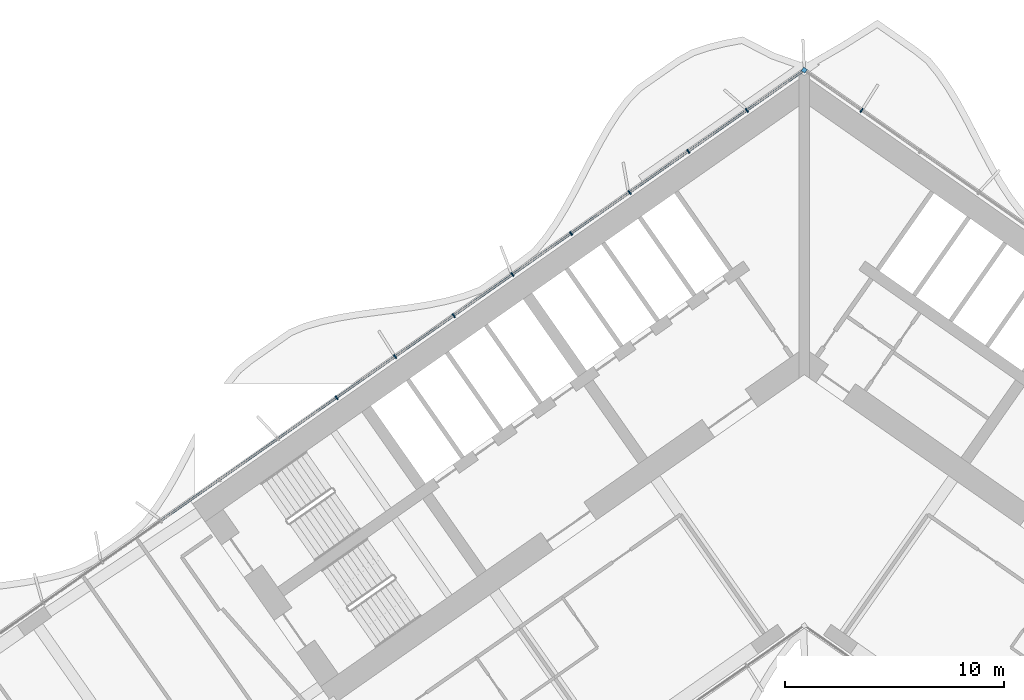
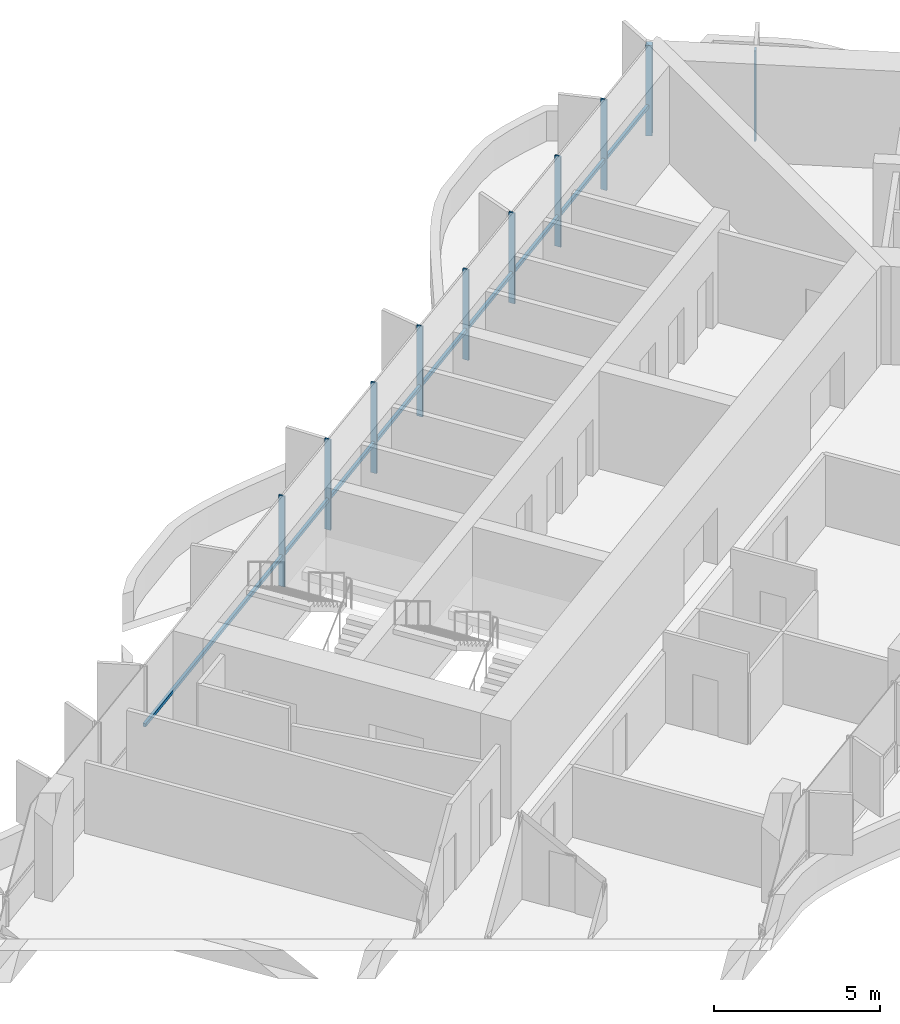
# One storey, part 7 of 24: 11 members, 1 element without a shape of its own.
"""IFC4 building model written with IfcOpenShell, lengths in metres."""

from ifc_helpers import new_model, si_unit, direction, frame, origin, origin_2d, place, context, subcontext, project, spatial, rectangle, extrude, material, material_profile, profile_set, type_object, element, aggregate, save


model = new_model("IFC4")

# Units and contexts
model_context = context("Model", 3, precision=1e-05, world=origin(), true_north=direction((0.0, 1.0)))
body_context = subcontext(model_context, "Body", "Model", "MODEL_VIEW")
ifc_project = project(units=[si_unit("LENGTHUNIT", "METRE"), si_unit("AREAUNIT", "SQUARE_METRE"), si_unit("VOLUMEUNIT", "CUBIC_METRE"), si_unit("PLANEANGLEUNIT", "RADIAN"), si_unit("MASSUNIT", "GRAM", prefix="KILO")], contexts=[model_context])

# Site, building, storey
site_placement = place(None, origin())
site = spatial("IfcSite", under=ifc_project, at=site_placement, CompositionType="ELEMENT")
building_placement = place(site_placement, origin())
building = spatial("IfcBuilding", under=site, at=building_placement, Name="Tel Ilan Convention Tower", CompositionType="ELEMENT")
storey_placement = place(building_placement, frame((0.0, 0.0, 72.5)))
storey = spatial("IfcBuildingStorey", under=building, at=storey_placement, Name="L13", CompositionType="ELEMENT", Elevation=72.5)

# Curtain wall, members
ifc_material_1 = material(Name="Aluminium, bronze anodised", Category="aluminium")
curtain_wall_type = type_object("IfcCurtainWallType", Name="CW2 STICK CURTAIN WALL, SPANDREL PANELS", PredefinedType="NOTDEFINED", material=ifc_material_1)
curtain_wall_placement = place(storey_placement, origin())
curtain_wall = element("IfcCurtainWall", 1, at=curtain_wall_placement, inside=storey, type_object=curtain_wall_type, Name="Curtain wall CW2-13.01", PredefinedType="NOTDEFINED")
ifc_material_2 = material(Name="Aluminium, bronze anodised", Category="aluminium")
ifc_material_profile_1 = material_profile(ifc_material_2, rectangle(XDim=0.199951171875, YDim=0.199951171875, at=origin_2d()), Name="CW CORNER MULLION 200x200")
ifc_profile_set_1 = profile_set([ifc_material_profile_1], Name="Aluminium, bronze anodised")
member_type_1 = type_object("IfcMemberType", Name="CW CORNER MULLION 200x200", PredefinedType="MULLION", material=ifc_profile_set_1)
member_1_placement = place(storey_placement, frame((0.0, 12.696044921875, 0.0), z_axis=(0.0, 0.0, 1.0), x_axis=(-0.819152044289, 0.573576436351, 0.0)))
member_1 = element("IfcMember", 2, at=member_1_placement, type_object=member_type_1, Name="Corner mullion", PredefinedType="MULLION", context=body_context, shape_type="SweptSolid", body=[
    extrude(rectangle(XDim=0.199951171875, YDim=0.199951171875, at=origin_2d()), origin(), (0.0, 0.0, 1.0), 3.320068359375),
])
ifc_material_3 = material(Name="Aluminium, bronze anodised", Category="aluminium")
ifc_material_profile_2 = material_profile(ifc_material_3, rectangle(XDim=0.06005859375, YDim=0.199951171875, at=origin_2d()), Name="CW MULLION 60x200")
ifc_profile_set_2 = profile_set([ifc_material_profile_2], Name="Aluminium, bronze anodised")
member_type_2 = type_object("IfcMemberType", Name="CW MULLION 60x200", PredefinedType="MULLION", material=ifc_profile_set_2)
member_2_placement = place(storey_placement, frame((2.622802734375, 10.859375, 0.0), z_axis=(0.0, 0.0, 1.0), x_axis=(-0.819152044289, 0.573576436351, 0.0)))
member_2 = element("IfcMember", 3, at=member_2_placement, type_object=member_type_2, Name="Mullion", PredefinedType="MULLION", context=body_context, shape_type="SweptSolid", body=[
    extrude(rectangle(XDim=0.06005859375, YDim=0.199951171875, at=origin_2d()), origin(), (0.0, 0.0, 1.0), 3.320068359375),
])
member_3_placement = place(storey_placement, frame((-2.622802734375, 10.859375, 0.0), z_axis=(0.0, 0.0, 1.0), x_axis=(-0.819152044289, -0.573576436351, 0.0)))
member_3 = element("IfcMember", 4, at=member_3_placement, type_object=member_type_2, Name="Mullion", PredefinedType="MULLION", context=body_context, shape_type="SweptSolid", body=[
    extrude(rectangle(XDim=0.06005859375, YDim=0.199951171875, at=origin_2d()), origin(), (0.0, 0.0, 1.0), 3.320068359375),
])
member_4_placement = place(storey_placement, frame((-5.30322265625, 8.982666015625, 0.0), z_axis=(0.0, 0.0, 1.0), x_axis=(-0.819152044289, -0.573576436351, 0.0)))
member_4 = element("IfcMember", 5, at=member_4_placement, type_object=member_type_2, Name="Mullion", PredefinedType="MULLION", context=body_context, shape_type="SweptSolid", body=[
    extrude(rectangle(XDim=0.06005859375, YDim=0.199951171875, at=origin_2d()), origin(), (0.0, 0.0, 1.0), 3.320068359375),
])
member_5_placement = place(storey_placement, frame((-7.9833984375, 7.10595703125, 0.0), z_axis=(0.0, 0.0, 1.0), x_axis=(-0.819152044289, -0.573576436351, 0.0)))
member_5 = element("IfcMember", 6, at=member_5_placement, type_object=member_type_2, Name="Mullion", PredefinedType="MULLION", context=body_context, shape_type="SweptSolid", body=[
    extrude(rectangle(XDim=0.06005859375, YDim=0.199951171875, at=origin_2d()), origin(), (0.0, 0.0, 1.0), 3.320068359375),
])
member_6_placement = place(storey_placement, frame((-10.663818359375, 5.229248046875, 0.0), z_axis=(0.0, 0.0, 1.0), x_axis=(-0.819152044289, -0.573576436351, 0.0)))
member_6 = element("IfcMember", 7, at=member_6_placement, type_object=member_type_2, Name="Mullion", PredefinedType="MULLION", context=body_context, shape_type="SweptSolid", body=[
    extrude(rectangle(XDim=0.06005859375, YDim=0.199951171875, at=origin_2d()), origin(), (0.0, 0.0, 1.0), 3.320068359375),
])
member_7_placement = place(storey_placement, frame((-13.343994140625, 3.3525390625, 0.0), z_axis=(0.0, 0.0, 1.0), x_axis=(-0.819152044289, -0.573576436351, 0.0)))
member_7 = element("IfcMember", 8, at=member_7_placement, type_object=member_type_2, Name="Mullion", PredefinedType="MULLION", context=body_context, shape_type="SweptSolid", body=[
    extrude(rectangle(XDim=0.06005859375, YDim=0.199951171875, at=origin_2d()), origin(), (0.0, 0.0, 1.0), 3.320068359375),
])
member_8_placement = place(storey_placement, frame((-16.024169921875, 1.475830078125, 0.0), z_axis=(0.0, 0.0, 1.0), x_axis=(-0.819152044289, -0.573576436351, 0.0)))
member_8 = element("IfcMember", 9, at=member_8_placement, type_object=member_type_2, Name="Mullion", PredefinedType="MULLION", context=body_context, shape_type="SweptSolid", body=[
    extrude(rectangle(XDim=0.06005859375, YDim=0.199951171875, at=origin_2d()), origin(), (0.0, 0.0, 1.0), 3.320068359375),
])
member_9_placement = place(storey_placement, frame((-18.70458984375, -0.401123046875, 0.0), z_axis=(0.0, 0.0, 1.0), x_axis=(-0.819152044289, -0.573576436351, 0.0)))
member_9 = element("IfcMember", 10, at=member_9_placement, type_object=member_type_2, Name="Mullion", PredefinedType="MULLION", context=body_context, shape_type="SweptSolid", body=[
    extrude(rectangle(XDim=0.06005859375, YDim=0.199951171875, at=origin_2d()), origin(), (0.0, 0.0, 1.0), 3.320068359375),
])
member_10_placement = place(storey_placement, frame((-21.384765625, -2.27783203125, 0.0), z_axis=(0.0, 0.0, 1.0), x_axis=(-0.819152044289, -0.573576436351, 0.0)))
member_10 = element("IfcMember", 11, at=member_10_placement, type_object=member_type_2, Name="Mullion", PredefinedType="MULLION", context=body_context, shape_type="SweptSolid", body=[
    extrude(rectangle(XDim=0.06005859375, YDim=0.199951171875, at=origin_2d()), origin(), (0.0, 0.0, 1.0), 3.320068359375),
])
ifc_material_4 = material(Name="Aluminium, bronze anodised", Category="aluminium")
ifc_material_profile_3 = material_profile(ifc_material_4, rectangle(XDim=0.10009765625, YDim=0.1201171875, at=origin_2d()), Name="CW TRANSOM 100x120")
ifc_profile_set_3 = profile_set([ifc_material_profile_3], Name="Aluminium, bronze anodised")
member_type_3 = type_object("IfcMemberType", Name="CW TRANSOM 100x120", PredefinedType="USERDEFINED", material=ifc_profile_set_3)
member_11_placement = place(storey_placement, frame((-0.1064453125, 12.62158203125, 1.10009765625), z_axis=(-0.81915076999, -0.573578256234, 0.0), x_axis=(0.573578256234, -0.81915076999, 0.0)))
member_11 = element("IfcMember", 12, at=member_11_placement, type_object=member_type_3, Name="Transom", ObjectType="TRANSOM", PredefinedType="USERDEFINED", context=body_context, shape_type="SweptSolid", body=[
    extrude(rectangle(XDim=0.10009765625, YDim=0.1201171875, at=origin_2d()), origin(), (0.0, 0.0, 1.0), 35.76220703125),
])
aggregate(curtain_wall, [member_2, member_1, member_3, member_4, member_5, member_6, member_7, member_8, member_9, member_10, member_11])

save(model, "model.ifc")
